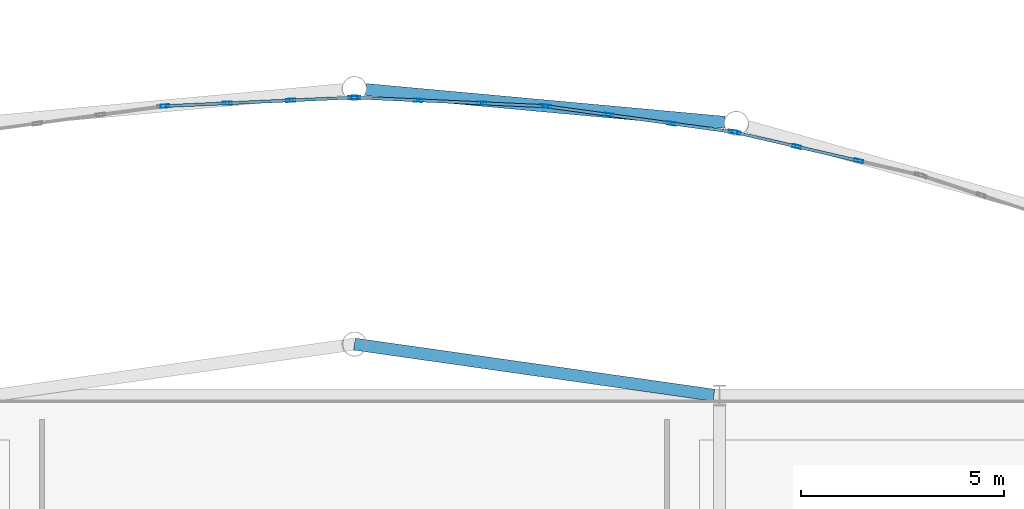
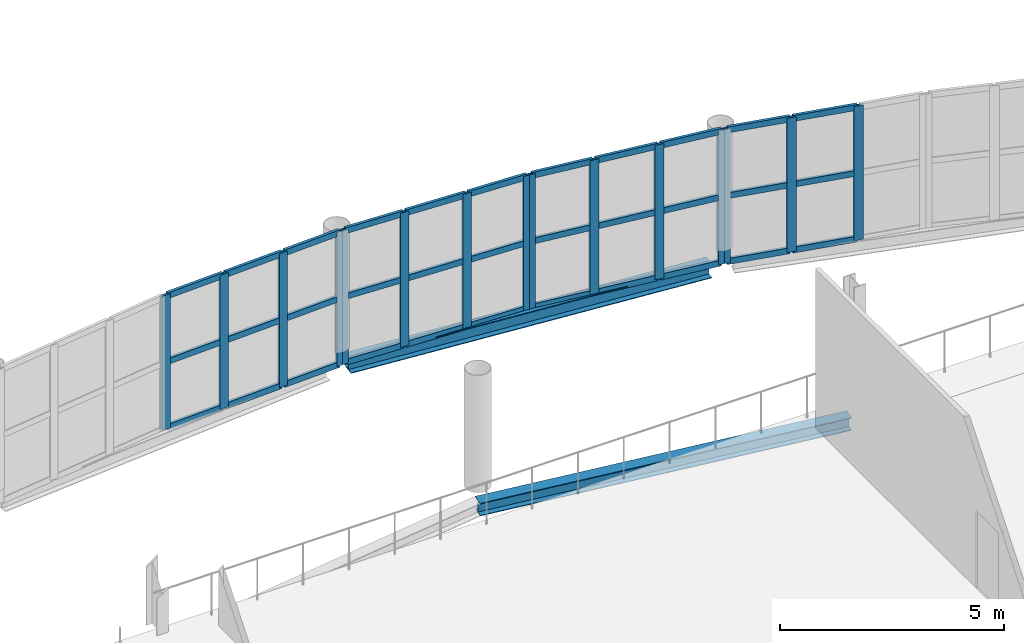
# One storey, part 71 of 134: 48 members, 2 beams, 4 elements without a shape of their own.
"""IFC4 building model written with IfcOpenShell, lengths in metres."""

from ifc_helpers import new_model, si_unit, direction, frame, origin, origin_2d, place, context, subcontext, project, spatial, hollow_rectangle, i_section, extrude, material, layer, layer_set, material_profile, profile_set, type_object, element, aggregate, save


model = new_model("IFC4")

# Units and contexts
model_context = context("Model", 3, precision=1e-05, world=origin(), true_north=direction((0.0, 1.0)))
body_context = subcontext(model_context, "Body", "Model", "MODEL_VIEW")
ifc_project = project(units=[si_unit("LENGTHUNIT", "METRE"), si_unit("AREAUNIT", "SQUARE_METRE"), si_unit("VOLUMEUNIT", "CUBIC_METRE"), si_unit("PLANEANGLEUNIT", "RADIAN"), si_unit("MASSUNIT", "GRAM", prefix="KILO")], contexts=[model_context])

# Site, building, storey
site_placement = place(None, origin())
site = spatial("IfcSite", under=ifc_project, at=site_placement, CompositionType="ELEMENT")
building_placement = place(site_placement, origin())
building = spatial("IfcBuilding", under=site, at=building_placement, Name="Tamarisk Ironworks Central Station", CompositionType="ELEMENT")
storey_placement = place(building_placement, frame((0.0, 0.0, 12.60009765625)))
storey = spatial("IfcBuildingStorey", under=building, at=storey_placement, Name="L02", CompositionType="ELEMENT", Elevation=12.60009765625)

# Beams
ifc_material_1 = material(Name="Structural steel S355J2", Category="steel")
ifc_material_profile_1 = material_profile(ifc_material_1, i_section(OverallWidth=0.300048828125, OverallDepth=0.389892578125, WebThickness=0.010986328125, FlangeThickness=0.01904296875, at=origin_2d()), Name="HEA 400")
ifc_profile_set_1 = profile_set([ifc_material_profile_1], Name="Structural steel S355J2")
beam_type_1 = type_object("IfcBeamType", Name="BM-G07", PredefinedType="BEAM", material=ifc_profile_set_1)
beam_1_placement = place(storey_placement, frame((81.28369140625, 119.133056640625, -0.5751953125), z_axis=(0.995863406654, -0.090862947823, 0.0), x_axis=(0.090862947823, 0.995863406654, 0.0)))
element("IfcBeam", 1, at=beam_1_placement, inside=storey, type_object=beam_type_1, Name="NN rounded nose L02 chord girder 032", PredefinedType="BEAM", context=body_context, shape_type="SweptSolid", body=[
    extrude(i_section(OverallWidth=0.300048828125, OverallDepth=0.389892578125, WebThickness=0.010986328125, FlangeThickness=0.01904296875, at=origin_2d()), origin(), (0.0, 0.0, 1.0), 8.880126953125),
])
ifc_material_profile_2 = material_profile(ifc_material_1, i_section(OverallWidth=0.300048828125, OverallDepth=0.35009765625, WebThickness=0.010009765625, FlangeThickness=0.017578125, at=origin_2d()), Name="HEA 360")
ifc_profile_set_2 = profile_set([ifc_material_profile_2], Name="Structural steel S355J2")
beam_type_2 = type_object("IfcBeamType", Name="BM-G08", PredefinedType="BEAM", material=ifc_profile_set_2)
beam_2_placement = place(storey_placement, frame((89.860107421875, 111.60009765625, -0.580078125), z_axis=(-0.990038775739, 0.140794966289, 0.0), x_axis=(-0.140794966289, -0.990038775739, 0.0)))
element("IfcBeam", 2, at=beam_2_placement, inside=storey, type_object=beam_type_2, Name="NN arch crown tie beam 040", PredefinedType="BEAM", context=body_context, shape_type="SweptSolid", body=[
    extrude(i_section(OverallWidth=0.300048828125, OverallDepth=0.35009765625, WebThickness=0.010009765625, FlangeThickness=0.017578125, at=origin_2d()), origin(), (0.0, 0.0, 1.0), 8.94921875),
])

# Curtain wall, members
ifc_material_2 = material(Name="Anodized aluminium alloy 6063-T6", Category="aluminium")
ifc_layer = layer(ifc_material_2, 0.179931640625)
ifc_layer_set = layer_set([ifc_layer], Name="Anodized aluminium alloy 6063-T6")
curtain_wall_type = type_object("IfcCurtainWallType", Name="CW-03", PredefinedType="USERDEFINED", material=ifc_layer_set)
curtain_wall_1_placement = place(storey_placement, origin())
curtain_wall_1 = element("IfcCurtainWall", 3, at=curtain_wall_1_placement, inside=storey, type_object=curtain_wall_type, Name="NN rounded entrance hall L02 curtain wall bay 06", ObjectType="GLAZED CURTAIN WALL", PredefinedType="USERDEFINED")
ifc_material_profile_3 = material_profile(ifc_material_2, hollow_rectangle(XDim=0.074951171875, YDim=0.219970703125, WallThickness=0.00390625, at=origin_2d()), Name="ALUM 220x75")
ifc_profile_set_3 = profile_set([ifc_material_profile_3], Name="Anodized aluminium alloy 6063-T6")
member_type_1 = type_object("IfcMemberType", Name="CWM-01", PredefinedType="MULLION", material=ifc_profile_set_3)
member_1_placement = place(storey_placement, frame((76.332763671875, 118.7265625, -0.385009765625), z_axis=(0.0, 0.0, 1.0), x_axis=(-0.045480859558, 0.998965210312, 0.0)))
member_1 = element("IfcMember", 4, at=member_1_placement, type_object=member_type_1, Name="CW03 mullion 1", PredefinedType="MULLION", context=body_context, shape_type="SweptSolid", body=[
    extrude(hollow_rectangle(XDim=0.074951171875, YDim=0.219970703125, WallThickness=0.00390625, at=origin_2d()), origin(), (0.0, 0.0, 1.0), 3.664794921875),
])
member_2_placement = place(storey_placement, frame((77.863525390625, 118.796142578125, -0.385009765625), z_axis=(0.0, 0.0, 1.0), x_axis=(-0.045480859558, 0.998965210312, 0.0)))
member_2 = element("IfcMember", 5, at=member_2_placement, type_object=member_type_1, Name="CW03 mullion 2", PredefinedType="MULLION", context=body_context, shape_type="SweptSolid", body=[
    extrude(hollow_rectangle(XDim=0.074951171875, YDim=0.219970703125, WallThickness=0.00390625, at=origin_2d()), origin(), (0.0, 0.0, 1.0), 3.664794921875),
])
member_3_placement = place(storey_placement, frame((79.431640625, 118.86767578125, -0.385009765625), z_axis=(0.0, 0.0, 1.0), x_axis=(-0.045480859558, 0.998965210312, 0.0)))
member_3 = element("IfcMember", 6, at=member_3_placement, type_object=member_type_1, Name="CW03 mullion 3", PredefinedType="MULLION", context=body_context, shape_type="SweptSolid", body=[
    extrude(hollow_rectangle(XDim=0.074951171875, YDim=0.219970703125, WallThickness=0.00390625, at=origin_2d()), origin(), (0.0, 0.0, 1.0), 3.664794921875),
])
member_4_placement = place(storey_placement, frame((80.962646484375, 118.937255859375, -0.385009765625), z_axis=(0.0, 0.0, 1.0), x_axis=(-0.045480859558, 0.998965210312, 0.0)))
member_4 = element("IfcMember", 7, at=member_4_placement, type_object=member_type_1, Name="CW03 mullion 4", PredefinedType="MULLION", context=body_context, shape_type="SweptSolid", body=[
    extrude(hollow_rectangle(XDim=0.074951171875, YDim=0.219970703125, WallThickness=0.00390625, at=origin_2d()), origin(), (0.0, 0.0, 1.0), 3.664794921875),
])

curtain_wall_2_placement = place(storey_placement, origin())
curtain_wall_2 = element("IfcCurtainWall", 8, at=curtain_wall_2_placement, inside=storey, type_object=curtain_wall_type, Name="NN rounded entrance hall L02 curtain wall bay 07", ObjectType="GLAZED CURTAIN WALL", PredefinedType="USERDEFINED")
member_5_placement = place(storey_placement, frame((81.037353515625, 118.937255859375, -0.385009765625), z_axis=(0.0, 0.0, 1.0), x_axis=(0.045480859558, 0.998965210312, 0.0)))
member_5 = element("IfcMember", 9, at=member_5_placement, type_object=member_type_1, Name="CW03 mullion 1", PredefinedType="MULLION", context=body_context, shape_type="SweptSolid", body=[
    extrude(hollow_rectangle(XDim=0.074951171875, YDim=0.219970703125, WallThickness=0.00390625, at=origin_2d()), origin(), (0.0, 0.0, 1.0), 3.664794921875),
])
member_6_placement = place(storey_placement, frame((82.568359375, 118.86767578125, -0.385009765625), z_axis=(0.0, 0.0, 1.0), x_axis=(0.045480859558, 0.998965210312, 0.0)))
member_6 = element("IfcMember", 10, at=member_6_placement, type_object=member_type_1, Name="CW03 mullion 2", PredefinedType="MULLION", context=body_context, shape_type="SweptSolid", body=[
    extrude(hollow_rectangle(XDim=0.074951171875, YDim=0.219970703125, WallThickness=0.00390625, at=origin_2d()), origin(), (0.0, 0.0, 1.0), 3.664794921875),
])
member_7_placement = place(storey_placement, frame((84.136474609375, 118.796142578125, -0.385009765625), z_axis=(0.0, 0.0, 1.0), x_axis=(0.045480859558, 0.998965210312, 0.0)))
member_7 = element("IfcMember", 11, at=member_7_placement, type_object=member_type_1, Name="CW03 mullion 3", PredefinedType="MULLION", context=body_context, shape_type="SweptSolid", body=[
    extrude(hollow_rectangle(XDim=0.074951171875, YDim=0.219970703125, WallThickness=0.00390625, at=origin_2d()), origin(), (0.0, 0.0, 1.0), 3.664794921875),
])
member_8_placement = place(storey_placement, frame((85.667236328125, 118.7265625, -0.385009765625), z_axis=(0.0, 0.0, 1.0), x_axis=(0.045480859558, 0.998965210312, 0.0)))
member_8 = element("IfcMember", 12, at=member_8_placement, type_object=member_type_1, Name="CW03 mullion 4", PredefinedType="MULLION", context=body_context, shape_type="SweptSolid", body=[
    extrude(hollow_rectangle(XDim=0.074951171875, YDim=0.219970703125, WallThickness=0.00390625, at=origin_2d()), origin(), (0.0, 0.0, 1.0), 3.664794921875),
])

curtain_wall_3_placement = place(storey_placement, origin())
curtain_wall_3 = element("IfcCurtainWall", 13, at=curtain_wall_3_placement, inside=storey, type_object=curtain_wall_type, Name="NN rounded entrance hall L02 curtain wall bay 08", ObjectType="GLAZED CURTAIN WALL", PredefinedType="USERDEFINED")
member_9_placement = place(storey_placement, frame((85.741943359375, 118.7197265625, -0.385009765625), z_axis=(0.0, 0.0, 1.0), x_axis=(0.136041725218, 0.990703108403, 0.0)))
member_9 = element("IfcMember", 14, at=member_9_placement, type_object=member_type_1, Name="CW03 mullion 1", PredefinedType="MULLION", context=body_context, shape_type="SweptSolid", body=[
    extrude(hollow_rectangle(XDim=0.074951171875, YDim=0.219970703125, WallThickness=0.00390625, at=origin_2d()), origin(), (0.0, 0.0, 1.0), 3.664794921875),
])
member_10_placement = place(storey_placement, frame((87.260009765625, 118.51123046875, -0.385009765625), z_axis=(0.0, 0.0, 1.0), x_axis=(0.136041725218, 0.990703108403, 0.0)))
member_10 = element("IfcMember", 15, at=member_10_placement, type_object=member_type_1, Name="CW03 mullion 2", PredefinedType="MULLION", context=body_context, shape_type="SweptSolid", body=[
    extrude(hollow_rectangle(XDim=0.074951171875, YDim=0.219970703125, WallThickness=0.00390625, at=origin_2d()), origin(), (0.0, 0.0, 1.0), 3.664794921875),
])
member_11_placement = place(storey_placement, frame((88.8154296875, 118.297607421875, -0.385009765625), z_axis=(0.0, 0.0, 1.0), x_axis=(0.136041725218, 0.990703108403, 0.0)))
member_11 = element("IfcMember", 16, at=member_11_placement, type_object=member_type_1, Name="CW03 mullion 3", PredefinedType="MULLION", context=body_context, shape_type="SweptSolid", body=[
    extrude(hollow_rectangle(XDim=0.074951171875, YDim=0.219970703125, WallThickness=0.00390625, at=origin_2d()), origin(), (0.0, 0.0, 1.0), 3.664794921875),
])
member_12_placement = place(storey_placement, frame((90.33349609375, 118.089111328125, -0.385009765625), z_axis=(0.0, 0.0, 1.0), x_axis=(0.136041725218, 0.990703108403, 0.0)))
member_12 = element("IfcMember", 17, at=member_12_placement, type_object=member_type_1, Name="CW03 mullion 4", PredefinedType="MULLION", context=body_context, shape_type="SweptSolid", body=[
    extrude(hollow_rectangle(XDim=0.074951171875, YDim=0.219970703125, WallThickness=0.00390625, at=origin_2d()), origin(), (0.0, 0.0, 1.0), 3.664794921875),
])

curtain_wall_4_placement = place(storey_placement, origin())
curtain_wall_4 = element("IfcCurtainWall", 18, at=curtain_wall_4_placement, inside=storey, type_object=curtain_wall_type, Name="NN rounded entrance hall L02 curtain wall bay 09", ObjectType="GLAZED CURTAIN WALL", PredefinedType="USERDEFINED")
member_13_placement = place(storey_placement, frame((90.4072265625, 118.07568359375, -0.385009765625), z_axis=(0.0, 0.0, 1.0), x_axis=(0.225516966506, 0.974239240545, 0.0)))
member_13 = element("IfcMember", 19, at=member_13_placement, type_object=member_type_1, Name="CW03 mullion 1", PredefinedType="MULLION", context=body_context, shape_type="SweptSolid", body=[
    extrude(hollow_rectangle(XDim=0.074951171875, YDim=0.219970703125, WallThickness=0.00390625, at=origin_2d()), origin(), (0.0, 0.0, 1.0), 3.664794921875),
])
member_14_placement = place(storey_placement, frame((91.900146484375, 117.72998046875, -0.385009765625), z_axis=(0.0, 0.0, 1.0), x_axis=(0.225516966506, 0.974239240545, 0.0)))
member_14 = element("IfcMember", 20, at=member_14_placement, type_object=member_type_1, Name="CW03 mullion 2", PredefinedType="MULLION", context=body_context, shape_type="SweptSolid", body=[
    extrude(hollow_rectangle(XDim=0.074951171875, YDim=0.219970703125, WallThickness=0.00390625, at=origin_2d()), origin(), (0.0, 0.0, 1.0), 3.664794921875),
])
member_15_placement = place(storey_placement, frame((93.429443359375, 117.3759765625, -0.385009765625), z_axis=(0.0, 0.0, 1.0), x_axis=(0.225516966506, 0.974239240545, 0.0)))
member_15 = element("IfcMember", 21, at=member_15_placement, type_object=member_type_1, Name="CW03 mullion 3", PredefinedType="MULLION", context=body_context, shape_type="SweptSolid", body=[
    extrude(hollow_rectangle(XDim=0.074951171875, YDim=0.219970703125, WallThickness=0.00390625, at=origin_2d()), origin(), (0.0, 0.0, 1.0), 3.664794921875),
])

# Member
ifc_material_profile_4 = material_profile(ifc_material_2, hollow_rectangle(XDim=0.074951171875, YDim=0.159912109375, WallThickness=0.00390625, at=origin_2d()), Name="ALUM 160x75")
ifc_profile_set_4 = profile_set([ifc_material_profile_4], Name="Anodized aluminium alloy 6063-T6")
member_type_2 = type_object("IfcMemberType", Name="CWT-01", PredefinedType="USERDEFINED", material=ifc_profile_set_4)
member_16_placement = place(storey_placement, frame((76.3662109375, 118.72802734375, -0.34765625), z_axis=(0.998965102192, 0.045483234306, 0.0), x_axis=(-0.045483234306, 0.998965102192, 0.0)))
member_16 = element("IfcMember", 22, at=member_16_placement, type_object=member_type_2, Name="CW03 transom 1.1", ObjectType="TRANSOM", PredefinedType="USERDEFINED", context=body_context, shape_type="SweptSolid", body=[
    extrude(hollow_rectangle(XDim=0.074951171875, YDim=0.159912109375, WallThickness=0.00390625, at=origin_2d()), origin(), (0.0, 0.0, 1.0), 1.46533203125),
])

member_17_placement = place(storey_placement, frame((76.3662109375, 118.72802734375, 1.447509765625), z_axis=(0.998965102192, 0.045483234306, 0.0), x_axis=(-0.045483234306, 0.998965102192, 0.0)))
member_17 = element("IfcMember", 23, at=member_17_placement, type_object=member_type_2, Name="CW03 transom 1.2", ObjectType="TRANSOM", PredefinedType="USERDEFINED", context=body_context, shape_type="SweptSolid", body=[
    extrude(hollow_rectangle(XDim=0.074951171875, YDim=0.159912109375, WallThickness=0.00390625, at=origin_2d()), origin(), (0.0, 0.0, 1.0), 1.46533203125),
])

member_18_placement = place(storey_placement, frame((76.3662109375, 118.72802734375, 3.242431640625), z_axis=(0.998965102192, 0.045483234306, 0.0), x_axis=(-0.045483234306, 0.998965102192, 0.0)))
member_18 = element("IfcMember", 24, at=member_18_placement, type_object=member_type_2, Name="CW03 transom 1.3", ObjectType="TRANSOM", PredefinedType="USERDEFINED", context=body_context, shape_type="SweptSolid", body=[
    extrude(hollow_rectangle(XDim=0.074951171875, YDim=0.159912109375, WallThickness=0.00390625, at=origin_2d()), origin(), (0.0, 0.0, 1.0), 1.46533203125),
])

member_19_placement = place(storey_placement, frame((77.89697265625, 118.797607421875, -0.34765625), z_axis=(0.998964852268, 0.045488723148, 0.0), x_axis=(-0.045488723148, 0.998964852268, 0.0)))
member_19 = element("IfcMember", 25, at=member_19_placement, type_object=member_type_2, Name="CW03 transom 2.1", ObjectType="TRANSOM", PredefinedType="USERDEFINED", context=body_context, shape_type="SweptSolid", body=[
    extrude(hollow_rectangle(XDim=0.074951171875, YDim=0.159912109375, WallThickness=0.00390625, at=origin_2d()), origin(), (0.0, 0.0, 1.0), 1.502685546875),
])

member_20_placement = place(storey_placement, frame((77.89697265625, 118.797607421875, 1.447509765625), z_axis=(0.998964852268, 0.045488723148, 0.0), x_axis=(-0.045488723148, 0.998964852268, 0.0)))
member_20 = element("IfcMember", 26, at=member_20_placement, type_object=member_type_2, Name="CW03 transom 2.2", ObjectType="TRANSOM", PredefinedType="USERDEFINED", context=body_context, shape_type="SweptSolid", body=[
    extrude(hollow_rectangle(XDim=0.074951171875, YDim=0.159912109375, WallThickness=0.00390625, at=origin_2d()), origin(), (0.0, 0.0, 1.0), 1.502685546875),
])

member_21_placement = place(storey_placement, frame((77.89697265625, 118.797607421875, 3.242431640625), z_axis=(0.998964852268, 0.045488723148, 0.0), x_axis=(-0.045488723148, 0.998964852268, 0.0)))
member_21 = element("IfcMember", 27, at=member_21_placement, type_object=member_type_2, Name="CW03 transom 2.3", ObjectType="TRANSOM", PredefinedType="USERDEFINED", context=body_context, shape_type="SweptSolid", body=[
    extrude(hollow_rectangle(XDim=0.074951171875, YDim=0.159912109375, WallThickness=0.00390625, at=origin_2d()), origin(), (0.0, 0.0, 1.0), 1.502685546875),
])

member_22_placement = place(storey_placement, frame((79.465087890625, 118.869140625, -0.34765625), z_axis=(0.998965102192, 0.045483234306, 0.0), x_axis=(-0.045483234306, 0.998965102192, 0.0)))
member_22 = element("IfcMember", 28, at=member_22_placement, type_object=member_type_2, Name="CW03 transom 3.1", ObjectType="TRANSOM", PredefinedType="USERDEFINED", context=body_context, shape_type="SweptSolid", body=[
    extrude(hollow_rectangle(XDim=0.074951171875, YDim=0.159912109375, WallThickness=0.00390625, at=origin_2d()), origin(), (0.0, 0.0, 1.0), 1.46533203125),
])

member_23_placement = place(storey_placement, frame((79.465087890625, 118.869140625, 1.447509765625), z_axis=(0.998965102192, 0.045483234306, 0.0), x_axis=(-0.045483234306, 0.998965102192, 0.0)))
member_23 = element("IfcMember", 29, at=member_23_placement, type_object=member_type_2, Name="CW03 transom 3.2", ObjectType="TRANSOM", PredefinedType="USERDEFINED", context=body_context, shape_type="SweptSolid", body=[
    extrude(hollow_rectangle(XDim=0.074951171875, YDim=0.159912109375, WallThickness=0.00390625, at=origin_2d()), origin(), (0.0, 0.0, 1.0), 1.46533203125),
])

member_24_placement = place(storey_placement, frame((79.465087890625, 118.869140625, 3.242431640625), z_axis=(0.998965102192, 0.045483234306, 0.0), x_axis=(-0.045483234306, 0.998965102192, 0.0)))
member_24 = element("IfcMember", 30, at=member_24_placement, type_object=member_type_2, Name="CW03 transom 3.3", ObjectType="TRANSOM", PredefinedType="USERDEFINED", context=body_context, shape_type="SweptSolid", body=[
    extrude(hollow_rectangle(XDim=0.074951171875, YDim=0.159912109375, WallThickness=0.00390625, at=origin_2d()), origin(), (0.0, 0.0, 1.0), 1.46533203125),
])

aggregate(curtain_wall_1, [member_1, member_2, member_3, member_4, member_16, member_17, member_18, member_19, member_20, member_21, member_22, member_23, member_24])

member_25_placement = place(storey_placement, frame((81.071044921875, 118.935791015625, -0.34765625), z_axis=(0.998965102192, -0.045483234306, 0.0), x_axis=(0.045483234306, 0.998965102192, 0.0)))
member_25 = element("IfcMember", 31, at=member_25_placement, type_object=member_type_2, Name="CW03 transom 1.1", ObjectType="TRANSOM", PredefinedType="USERDEFINED", context=body_context, shape_type="SweptSolid", body=[
    extrude(hollow_rectangle(XDim=0.074951171875, YDim=0.159912109375, WallThickness=0.00390625, at=origin_2d()), origin(), (0.0, 0.0, 1.0), 1.46533203125),
])

member_26_placement = place(storey_placement, frame((81.071044921875, 118.935791015625, 1.447509765625), z_axis=(0.998965102192, -0.045483234306, 0.0), x_axis=(0.045483234306, 0.998965102192, 0.0)))
member_26 = element("IfcMember", 32, at=member_26_placement, type_object=member_type_2, Name="CW03 transom 1.2", ObjectType="TRANSOM", PredefinedType="USERDEFINED", context=body_context, shape_type="SweptSolid", body=[
    extrude(hollow_rectangle(XDim=0.074951171875, YDim=0.159912109375, WallThickness=0.00390625, at=origin_2d()), origin(), (0.0, 0.0, 1.0), 1.46533203125),
])

member_27_placement = place(storey_placement, frame((81.071044921875, 118.935791015625, 3.242431640625), z_axis=(0.998965102192, -0.045483234306, 0.0), x_axis=(0.045483234306, 0.998965102192, 0.0)))
member_27 = element("IfcMember", 33, at=member_27_placement, type_object=member_type_2, Name="CW03 transom 1.3", ObjectType="TRANSOM", PredefinedType="USERDEFINED", context=body_context, shape_type="SweptSolid", body=[
    extrude(hollow_rectangle(XDim=0.074951171875, YDim=0.159912109375, WallThickness=0.00390625, at=origin_2d()), origin(), (0.0, 0.0, 1.0), 1.46533203125),
])

member_28_placement = place(storey_placement, frame((82.601806640625, 118.865966796875, -0.34765625), z_axis=(0.998964852268, -0.045488723148, 0.0), x_axis=(0.045488723148, 0.998964852268, 0.0)))
member_28 = element("IfcMember", 34, at=member_28_placement, type_object=member_type_2, Name="CW03 transom 2.1", ObjectType="TRANSOM", PredefinedType="USERDEFINED", context=body_context, shape_type="SweptSolid", body=[
    extrude(hollow_rectangle(XDim=0.074951171875, YDim=0.159912109375, WallThickness=0.00390625, at=origin_2d()), origin(), (0.0, 0.0, 1.0), 1.502685546875),
])

member_29_placement = place(storey_placement, frame((82.601806640625, 118.865966796875, 1.447509765625), z_axis=(0.998964852268, -0.045488723148, 0.0), x_axis=(0.045488723148, 0.998964852268, 0.0)))
member_29 = element("IfcMember", 35, at=member_29_placement, type_object=member_type_2, Name="CW03 transom 2.2", ObjectType="TRANSOM", PredefinedType="USERDEFINED", context=body_context, shape_type="SweptSolid", body=[
    extrude(hollow_rectangle(XDim=0.074951171875, YDim=0.159912109375, WallThickness=0.00390625, at=origin_2d()), origin(), (0.0, 0.0, 1.0), 1.502685546875),
])

member_30_placement = place(storey_placement, frame((82.601806640625, 118.865966796875, 3.242431640625), z_axis=(0.998964852268, -0.045488723148, 0.0), x_axis=(0.045488723148, 0.998964852268, 0.0)))
member_30 = element("IfcMember", 36, at=member_30_placement, type_object=member_type_2, Name="CW03 transom 2.3", ObjectType="TRANSOM", PredefinedType="USERDEFINED", context=body_context, shape_type="SweptSolid", body=[
    extrude(hollow_rectangle(XDim=0.074951171875, YDim=0.159912109375, WallThickness=0.00390625, at=origin_2d()), origin(), (0.0, 0.0, 1.0), 1.502685546875),
])

member_31_placement = place(storey_placement, frame((84.169921875, 118.794677734375, -0.34765625), z_axis=(0.998965102192, -0.045483234306, 0.0), x_axis=(0.045483234306, 0.998965102192, 0.0)))
member_31 = element("IfcMember", 37, at=member_31_placement, type_object=member_type_2, Name="CW03 transom 3.1", ObjectType="TRANSOM", PredefinedType="USERDEFINED", context=body_context, shape_type="SweptSolid", body=[
    extrude(hollow_rectangle(XDim=0.074951171875, YDim=0.159912109375, WallThickness=0.00390625, at=origin_2d()), origin(), (0.0, 0.0, 1.0), 1.46533203125),
])

member_32_placement = place(storey_placement, frame((84.169921875, 118.794677734375, 1.447509765625), z_axis=(0.998965102192, -0.045483234306, 0.0), x_axis=(0.045483234306, 0.998965102192, 0.0)))
member_32 = element("IfcMember", 38, at=member_32_placement, type_object=member_type_2, Name="CW03 transom 3.2", ObjectType="TRANSOM", PredefinedType="USERDEFINED", context=body_context, shape_type="SweptSolid", body=[
    extrude(hollow_rectangle(XDim=0.074951171875, YDim=0.159912109375, WallThickness=0.00390625, at=origin_2d()), origin(), (0.0, 0.0, 1.0), 1.46533203125),
])

member_33_placement = place(storey_placement, frame((84.169921875, 118.794677734375, 3.242431640625), z_axis=(0.998965102192, -0.045483234306, 0.0), x_axis=(0.045483234306, 0.998965102192, 0.0)))
member_33 = element("IfcMember", 39, at=member_33_placement, type_object=member_type_2, Name="CW03 transom 3.3", ObjectType="TRANSOM", PredefinedType="USERDEFINED", context=body_context, shape_type="SweptSolid", body=[
    extrude(hollow_rectangle(XDim=0.074951171875, YDim=0.159912109375, WallThickness=0.00390625, at=origin_2d()), origin(), (0.0, 0.0, 1.0), 1.46533203125),
])

aggregate(curtain_wall_2, [member_5, member_6, member_7, member_8, member_25, member_26, member_27, member_28, member_29, member_30, member_31, member_32, member_33])

member_34_placement = place(storey_placement, frame((85.775146484375, 118.715087890625, -0.34765625), z_axis=(0.990714220165, -0.135960780971, 0.0), x_axis=(0.135960780971, 0.990714220165, 0.0)))
member_34 = element("IfcMember", 40, at=member_34_placement, type_object=member_type_2, Name="CW03 transom 1.1", ObjectType="TRANSOM", PredefinedType="USERDEFINED", context=body_context, shape_type="SweptSolid", body=[
    extrude(hollow_rectangle(XDim=0.074951171875, YDim=0.159912109375, WallThickness=0.00390625, at=origin_2d()), origin(), (0.0, 0.0, 1.0), 1.46533203125),
])

member_35_placement = place(storey_placement, frame((85.775146484375, 118.715087890625, 1.447509765625), z_axis=(0.990714220165, -0.135960780971, 0.0), x_axis=(0.135960780971, 0.990714220165, 0.0)))
member_35 = element("IfcMember", 41, at=member_35_placement, type_object=member_type_2, Name="CW03 transom 1.2", ObjectType="TRANSOM", PredefinedType="USERDEFINED", context=body_context, shape_type="SweptSolid", body=[
    extrude(hollow_rectangle(XDim=0.074951171875, YDim=0.159912109375, WallThickness=0.00390625, at=origin_2d()), origin(), (0.0, 0.0, 1.0), 1.46533203125),
])

member_36_placement = place(storey_placement, frame((85.775146484375, 118.715087890625, 3.242431640625), z_axis=(0.990714220165, -0.135960780971, 0.0), x_axis=(0.135960780971, 0.990714220165, 0.0)))
member_36 = element("IfcMember", 42, at=member_36_placement, type_object=member_type_2, Name="CW03 transom 1.3", ObjectType="TRANSOM", PredefinedType="USERDEFINED", context=body_context, shape_type="SweptSolid", body=[
    extrude(hollow_rectangle(XDim=0.074951171875, YDim=0.159912109375, WallThickness=0.00390625, at=origin_2d()), origin(), (0.0, 0.0, 1.0), 1.46533203125),
])

member_37_placement = place(storey_placement, frame((87.293212890625, 118.506591796875, -0.34765625), z_axis=(0.990714153928, -0.135961263623, 0.0), x_axis=(0.135961263623, 0.990714153928, 0.0)))
member_37 = element("IfcMember", 43, at=member_37_placement, type_object=member_type_2, Name="CW03 transom 2.1", ObjectType="TRANSOM", PredefinedType="USERDEFINED", context=body_context, shape_type="SweptSolid", body=[
    extrude(hollow_rectangle(XDim=0.074951171875, YDim=0.159912109375, WallThickness=0.00390625, at=origin_2d()), origin(), (0.0, 0.0, 1.0), 1.5029296875),
])

member_38_placement = place(storey_placement, frame((87.293212890625, 118.506591796875, 1.447509765625), z_axis=(0.990714153928, -0.135961263623, 0.0), x_axis=(0.135961263623, 0.990714153928, 0.0)))
member_38 = element("IfcMember", 44, at=member_38_placement, type_object=member_type_2, Name="CW03 transom 2.2", ObjectType="TRANSOM", PredefinedType="USERDEFINED", context=body_context, shape_type="SweptSolid", body=[
    extrude(hollow_rectangle(XDim=0.074951171875, YDim=0.159912109375, WallThickness=0.00390625, at=origin_2d()), origin(), (0.0, 0.0, 1.0), 1.5029296875),
])

member_39_placement = place(storey_placement, frame((87.293212890625, 118.506591796875, 3.242431640625), z_axis=(0.990714153928, -0.135961263623, 0.0), x_axis=(0.135961263623, 0.990714153928, 0.0)))
member_39 = element("IfcMember", 45, at=member_39_placement, type_object=member_type_2, Name="CW03 transom 2.3", ObjectType="TRANSOM", PredefinedType="USERDEFINED", context=body_context, shape_type="SweptSolid", body=[
    extrude(hollow_rectangle(XDim=0.074951171875, YDim=0.159912109375, WallThickness=0.00390625, at=origin_2d()), origin(), (0.0, 0.0, 1.0), 1.5029296875),
])

member_40_placement = place(storey_placement, frame((88.8486328125, 118.293212890625, -0.34765625), z_axis=(0.990691763938, -0.136124314016, 0.0), x_axis=(0.136124314016, 0.990691763938, 0.0)))
member_40 = element("IfcMember", 46, at=member_40_placement, type_object=member_type_2, Name="CW03 transom 3.1", ObjectType="TRANSOM", PredefinedType="USERDEFINED", context=body_context, shape_type="SweptSolid", body=[
    extrude(hollow_rectangle(XDim=0.074951171875, YDim=0.159912109375, WallThickness=0.00390625, at=origin_2d()), origin(), (0.0, 0.0, 1.0), 1.46533203125),
])

member_41_placement = place(storey_placement, frame((88.8486328125, 118.293212890625, 1.447509765625), z_axis=(0.990691763938, -0.136124314016, 0.0), x_axis=(0.136124314016, 0.990691763938, 0.0)))
member_41 = element("IfcMember", 47, at=member_41_placement, type_object=member_type_2, Name="CW03 transom 3.2", ObjectType="TRANSOM", PredefinedType="USERDEFINED", context=body_context, shape_type="SweptSolid", body=[
    extrude(hollow_rectangle(XDim=0.074951171875, YDim=0.159912109375, WallThickness=0.00390625, at=origin_2d()), origin(), (0.0, 0.0, 1.0), 1.46533203125),
])

member_42_placement = place(storey_placement, frame((88.8486328125, 118.293212890625, 3.242431640625), z_axis=(0.990691763938, -0.136124314016, 0.0), x_axis=(0.136124314016, 0.990691763938, 0.0)))
member_42 = element("IfcMember", 48, at=member_42_placement, type_object=member_type_2, Name="CW03 transom 3.3", ObjectType="TRANSOM", PredefinedType="USERDEFINED", context=body_context, shape_type="SweptSolid", body=[
    extrude(hollow_rectangle(XDim=0.074951171875, YDim=0.159912109375, WallThickness=0.00390625, at=origin_2d()), origin(), (0.0, 0.0, 1.0), 1.46533203125),
])

aggregate(curtain_wall_3, [member_9, member_10, member_11, member_12, member_34, member_35, member_36, member_37, member_38, member_39, member_40, member_41, member_42])

member_43_placement = place(storey_placement, frame((90.439697265625, 118.068115234375, -0.34765625), z_axis=(0.974228092124, -0.225565122561, 0.0), x_axis=(0.225565122561, 0.974228092124, 0.0)))
member_43 = element("IfcMember", 49, at=member_43_placement, type_object=member_type_2, Name="CW03 transom 1.1", ObjectType="TRANSOM", PredefinedType="USERDEFINED", context=body_context, shape_type="SweptSolid", body=[
    extrude(hollow_rectangle(XDim=0.074951171875, YDim=0.159912109375, WallThickness=0.00390625, at=origin_2d()), origin(), (0.0, 0.0, 1.0), 1.465576171875),
])

member_44_placement = place(storey_placement, frame((90.439697265625, 118.068115234375, 1.447509765625), z_axis=(0.974228092124, -0.225565122561, 0.0), x_axis=(0.225565122561, 0.974228092124, 0.0)))
member_44 = element("IfcMember", 50, at=member_44_placement, type_object=member_type_2, Name="CW03 transom 1.2", ObjectType="TRANSOM", PredefinedType="USERDEFINED", context=body_context, shape_type="SweptSolid", body=[
    extrude(hollow_rectangle(XDim=0.074951171875, YDim=0.159912109375, WallThickness=0.00390625, at=origin_2d()), origin(), (0.0, 0.0, 1.0), 1.465576171875),
])

member_45_placement = place(storey_placement, frame((90.439697265625, 118.068115234375, 3.242431640625), z_axis=(0.974228092124, -0.225565122561, 0.0), x_axis=(0.225565122561, 0.974228092124, 0.0)))
member_45 = element("IfcMember", 51, at=member_45_placement, type_object=member_type_2, Name="CW03 transom 1.3", ObjectType="TRANSOM", PredefinedType="USERDEFINED", context=body_context, shape_type="SweptSolid", body=[
    extrude(hollow_rectangle(XDim=0.074951171875, YDim=0.159912109375, WallThickness=0.00390625, at=origin_2d()), origin(), (0.0, 0.0, 1.0), 1.465576171875),
])

member_46_placement = place(storey_placement, frame((91.9326171875, 117.722412109375, -0.34765625), z_axis=(0.974245878003, -0.22548829059, 0.0), x_axis=(0.22548829059, 0.974245878003, 0.0)))
member_46 = element("IfcMember", 52, at=member_46_placement, type_object=member_type_2, Name="CW03 transom 2.1", ObjectType="TRANSOM", PredefinedType="USERDEFINED", context=body_context, shape_type="SweptSolid", body=[
    extrude(hollow_rectangle(XDim=0.074951171875, YDim=0.159912109375, WallThickness=0.00390625, at=origin_2d()), origin(), (0.0, 0.0, 1.0), 1.5029296875),
])

member_47_placement = place(storey_placement, frame((91.9326171875, 117.722412109375, 1.447509765625), z_axis=(0.974245878003, -0.22548829059, 0.0), x_axis=(0.22548829059, 0.974245878003, 0.0)))
member_47 = element("IfcMember", 53, at=member_47_placement, type_object=member_type_2, Name="CW03 transom 2.2", ObjectType="TRANSOM", PredefinedType="USERDEFINED", context=body_context, shape_type="SweptSolid", body=[
    extrude(hollow_rectangle(XDim=0.074951171875, YDim=0.159912109375, WallThickness=0.00390625, at=origin_2d()), origin(), (0.0, 0.0, 1.0), 1.5029296875),
])

member_48_placement = place(storey_placement, frame((91.9326171875, 117.722412109375, 3.242431640625), z_axis=(0.974245878003, -0.22548829059, 0.0), x_axis=(0.22548829059, 0.974245878003, 0.0)))
member_48 = element("IfcMember", 54, at=member_48_placement, type_object=member_type_2, Name="CW03 transom 2.3", ObjectType="TRANSOM", PredefinedType="USERDEFINED", context=body_context, shape_type="SweptSolid", body=[
    extrude(hollow_rectangle(XDim=0.074951171875, YDim=0.159912109375, WallThickness=0.00390625, at=origin_2d()), origin(), (0.0, 0.0, 1.0), 1.5029296875),
])

aggregate(curtain_wall_4, [member_13, member_14, member_15, member_43, member_44, member_45, member_46, member_47, member_48])

save(model, "model.ifc")
